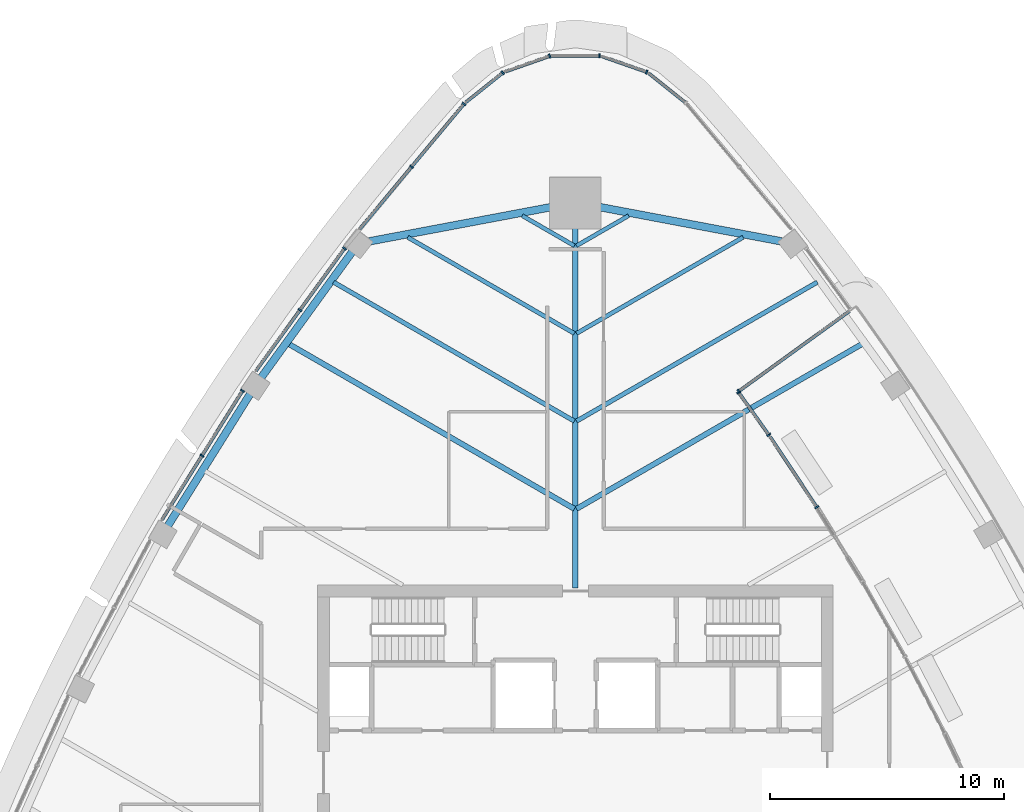
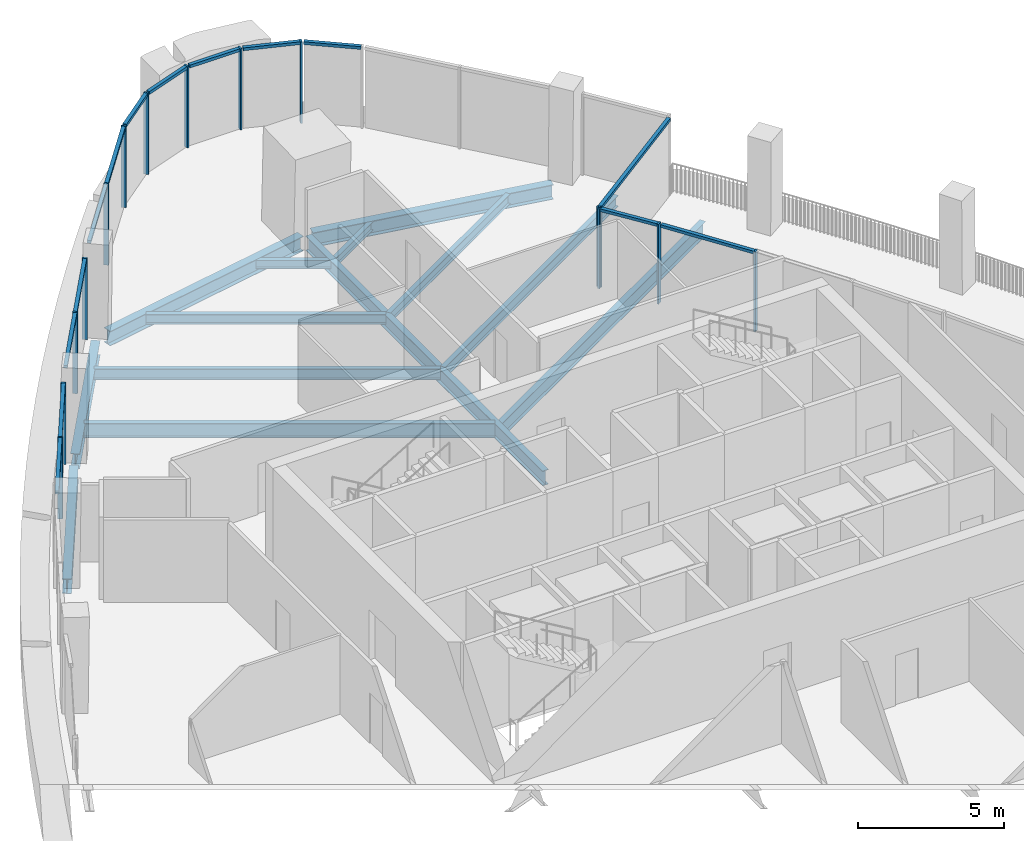
# One storey, part 6 of 20: 28 members, 13 beams, 11 elements without a shape of their own.
"""IFC4 building model written with IfcOpenShell, lengths in metres."""

from ifc_helpers import new_model, si_unit, direction, frame, origin, origin_2d, place, context, subcontext, project, spatial, rectangle, i_section, extrude, material, layer, layer_set, material_profile, profile_set, type_object, element, aggregate, save


model = new_model("IFC4")

# Units and contexts
model_context = context("Model", 3, precision=1e-05, world=origin(), true_north=direction((0.0, 1.0)))
body_context = subcontext(model_context, "Body", "Model", "MODEL_VIEW")
ifc_project = project(units=[si_unit("LENGTHUNIT", "METRE"), si_unit("AREAUNIT", "SQUARE_METRE"), si_unit("VOLUMEUNIT", "CUBIC_METRE"), si_unit("PLANEANGLEUNIT", "RADIAN"), si_unit("MASSUNIT", "GRAM", prefix="KILO")], contexts=[model_context])

# Site, building, storey
site_placement = place(None, origin())
site = spatial("IfcSite", under=ifc_project, at=site_placement, CompositionType="ELEMENT")
building_placement = place(site_placement, origin())
building = spatial("IfcBuilding", under=site, at=building_placement, Name="Sierra Prisma Convention Tower", CompositionType="ELEMENT")
storey_placement = place(building_placement, frame((0.0, 0.0, 275.0)))
storey = spatial("IfcBuildingStorey", under=building, at=storey_placement, Name="L62", CompositionType="ELEMENT", Elevation=275.0)

# Curtain wall, member
ifc_material_1 = material(Name="Aluminium and glass curtain wall", Category="aluminium")
ifc_layer_1 = layer(ifc_material_1, 0.179931640625)
ifc_layer_set_1 = layer_set([ifc_layer_1], Name="CW-1 Plain shaft curtain wall")
curtain_wall_type_1 = type_object("IfcCurtainWallType", Name="CW-1 Plain shaft curtain wall", PredefinedType="NOTDEFINED", material=ifc_layer_set_1)
curtain_wall_1_placement = place(storey_placement, origin())
curtain_wall_1 = element("IfcCurtainWall", 1, at=curtain_wall_1_placement, inside=storey, type_object=curtain_wall_type_1, Name="CW-1 N2 L62", PredefinedType="NOTDEFINED")
ifc_material_2 = material(Name="Aluminium 6063-T6 bronze anodised", Category="aluminium")
ifc_material_profile_1 = material_profile(ifc_material_2, rectangle(XDim=0.179931640625, YDim=0.070068359375, at=origin_2d()), Name="ALU MULLION 70x180")
ifc_profile_set_1 = profile_set([ifc_material_profile_1], Name="Aluminium 6063-T6 bronze anodised")
member_type_1 = type_object("IfcMemberType", Name="CW mullion bronze", PredefinedType="MULLION", material=ifc_profile_set_1)
member_1_placement = place(storey_placement, frame((3.03759765625, 29.8955078125, 0.0), z_axis=(0.0, 0.0, 1.0), x_axis=(-0.33018026387, -0.94391789545, 0.0)))
member_1 = element("IfcMember", 2, at=member_1_placement, type_object=member_type_1, Name="CW-1 mullion N2.1", PredefinedType="MULLION", context=body_context, shape_type="SweptSolid", body=[
    extrude(rectangle(XDim=0.179931640625, YDim=0.070068359375, at=origin_2d()), origin(), (0.0, 0.0, 1.0), 3.39990234375),
])

curtain_wall_2_placement = place(storey_placement, origin())
curtain_wall_2 = element("IfcCurtainWall", 3, at=curtain_wall_2_placement, inside=storey, type_object=curtain_wall_type_1, Name="CW-1 N3 L62", PredefinedType="NOTDEFINED")
member_2_placement = place(storey_placement, frame((1.0283203125, 30.5859375, 0.0), z_axis=(0.0, 0.0, 1.0), x_axis=(0.0, -1.0, 0.0)))
member_2 = element("IfcMember", 4, at=member_2_placement, type_object=member_type_1, Name="CW-1 mullion N3.1", PredefinedType="MULLION", context=body_context, shape_type="SweptSolid", body=[
    extrude(rectangle(XDim=0.179931640625, YDim=0.070068359375, at=origin_2d()), origin(), (0.0, 0.0, 1.0), 3.39990234375),
])

curtain_wall_3_placement = place(storey_placement, origin())
curtain_wall_3 = element("IfcCurtainWall", 5, at=curtain_wall_3_placement, inside=storey, type_object=curtain_wall_type_1, Name="CW-1 N4 L62", PredefinedType="NOTDEFINED")
member_3_placement = place(storey_placement, frame((-1.096435546875, 30.574462890625, 0.0), z_axis=(0.0, 0.0, 1.0), x_axis=(0.33018026387, -0.94391789545, 0.0)))
member_3 = element("IfcMember", 6, at=member_3_placement, type_object=member_type_1, Name="CW-1 mullion N4.1", PredefinedType="MULLION", context=body_context, shape_type="SweptSolid", body=[
    extrude(rectangle(XDim=0.179931640625, YDim=0.070068359375, at=origin_2d()), origin(), (0.0, 0.0, 1.0), 3.39990234375),
])

curtain_wall_4_placement = place(storey_placement, origin())
curtain_wall_4 = element("IfcCurtainWall", 7, at=curtain_wall_4_placement, inside=storey, type_object=curtain_wall_type_1, Name="CW-1 N5 L62", PredefinedType="NOTDEFINED")
member_4_placement = place(storey_placement, frame((-3.09814453125, 29.862060546875, 0.0), z_axis=(0.0, 0.0, 1.0), x_axis=(0.623326119569, -0.781961986712, 0.0)))
member_4 = element("IfcMember", 8, at=member_4_placement, type_object=member_type_1, Name="CW-1 mullion N5.1", PredefinedType="MULLION", context=body_context, shape_type="SweptSolid", body=[
    extrude(rectangle(XDim=0.179931640625, YDim=0.070068359375, at=origin_2d()), origin(), (0.0, 0.0, 1.0), 3.39990234375),
])

# Curtain wall, members
curtain_wall_5_placement = place(storey_placement, origin())
curtain_wall_5 = element("IfcCurtainWall", 9, at=curtain_wall_5_placement, inside=storey, type_object=curtain_wall_type_1, Name="CW-1 NW1 L62", PredefinedType="NOTDEFINED")
member_5_placement = place(storey_placement, frame((-4.756103515625, 28.53125, 0.0), z_axis=(0.0, 0.0, 1.0), x_axis=(0.767904404552, -0.640564458481, 0.0)))
member_5 = element("IfcMember", 10, at=member_5_placement, type_object=member_type_1, Name="CW-1 mullion NW1.1", PredefinedType="MULLION", context=body_context, shape_type="SweptSolid", body=[
    extrude(rectangle(XDim=0.179931640625, YDim=0.070068359375, at=origin_2d()), origin(), (0.0, 0.0, 1.0), 3.39990234375),
])
member_6_placement = place(storey_placement, frame((-6.993896484375, 25.848876953125, 0.0), z_axis=(0.0, 0.0, 1.0), x_axis=(0.767904404552, -0.640564458481, 0.0)))
member_6 = element("IfcMember", 11, at=member_6_placement, type_object=member_type_1, Name="CW-1 mullion NW1.2", PredefinedType="MULLION", context=body_context, shape_type="SweptSolid", body=[
    extrude(rectangle(XDim=0.179931640625, YDim=0.070068359375, at=origin_2d()), origin(), (0.0, 0.0, 1.0), 3.39990234375),
])

curtain_wall_6_placement = place(storey_placement, origin())
curtain_wall_6 = element("IfcCurtainWall", 12, at=curtain_wall_6_placement, inside=storey, type_object=curtain_wall_type_1, Name="CW-1 NW2 L62", PredefinedType="NOTDEFINED")
member_7_placement = place(storey_placement, frame((-9.852294921875, 22.365478515625, 0.0), z_axis=(0.0, 0.0, 1.0), x_axis=(0.810038021847, -0.586377355601, 0.0)))
member_7 = element("IfcMember", 13, at=member_7_placement, type_object=member_type_1, Name="CW-1 mullion NW2.1", PredefinedType="MULLION", context=body_context, shape_type="SweptSolid", body=[
    extrude(rectangle(XDim=0.179931640625, YDim=0.070068359375, at=origin_2d()), origin(), (0.0, 0.0, 1.0), 3.39990234375),
])
member_8_placement = place(storey_placement, frame((-11.755859375, 19.73583984375, 0.0), z_axis=(0.0, 0.0, 1.0), x_axis=(0.810038021847, -0.586377355601, 0.0)))
member_8 = element("IfcMember", 14, at=member_8_placement, type_object=member_type_1, Name="CW-1 mullion NW2.2", PredefinedType="MULLION", context=body_context, shape_type="SweptSolid", body=[
    extrude(rectangle(XDim=0.179931640625, YDim=0.070068359375, at=origin_2d()), origin(), (0.0, 0.0, 1.0), 3.39990234375),
])

curtain_wall_7_placement = place(storey_placement, origin())
curtain_wall_7 = element("IfcCurtainWall", 15, at=curtain_wall_7_placement, inside=storey, type_object=curtain_wall_type_1, Name="CW-1 NW3 L62", PredefinedType="NOTDEFINED")
member_9_placement = place(storey_placement, frame((-14.20703125, 16.29150390625, 0.0), z_axis=(0.0, 0.0, 1.0), x_axis=(0.848355158096, -0.52942754531, 0.0)))
member_9 = element("IfcMember", 16, at=member_9_placement, type_object=member_type_1, Name="CW-1 mullion NW3.1", PredefinedType="MULLION", context=body_context, shape_type="SweptSolid", body=[
    extrude(rectangle(XDim=0.179931640625, YDim=0.070068359375, at=origin_2d()), origin(), (0.0, 0.0, 1.0), 3.39990234375),
])
member_10_placement = place(storey_placement, frame((-15.93408203125, 13.52392578125, 0.0), z_axis=(0.0, 0.0, 1.0), x_axis=(0.848355158096, -0.52942754531, 0.0)))
member_10 = element("IfcMember", 17, at=member_10_placement, type_object=member_type_1, Name="CW-1 mullion NW3.2", PredefinedType="MULLION", context=body_context, shape_type="SweptSolid", body=[
    extrude(rectangle(XDim=0.179931640625, YDim=0.070068359375, at=origin_2d()), origin(), (0.0, 0.0, 1.0), 3.39990234375),
])

# Curtain wall, member
ifc_material_3 = material(Name="Aluminium and glass curtain wall", Category="aluminium")
ifc_layer_2 = layer(ifc_material_3, 0.179931640625)
ifc_layer_set_2 = layer_set([ifc_layer_2], Name="CW-6 Terrace recess curtain wall")
curtain_wall_type_2 = type_object("IfcCurtainWallType", Name="CW-6 Terrace recess curtain wall", PredefinedType="NOTDEFINED", material=ifc_layer_set_2)
curtain_wall_8_placement = place(storey_placement, origin())
curtain_wall_8 = element("IfcCurtainWall", 18, at=curtain_wall_8_placement, inside=storey, type_object=curtain_wall_type_2, Name="CW-6 R28 L62", PredefinedType="NOTDEFINED")
member_11_placement = place(storey_placement, frame((10.299560546875, 11.328857421875, 0.0), z_axis=(0.0, 0.0, 1.0), x_axis=(-0.833003139849, -0.553268261336, 0.0)))
member_11 = element("IfcMember", 19, at=member_11_placement, type_object=member_type_1, Name="CW-6 mullion R28.1", PredefinedType="MULLION", context=body_context, shape_type="SweptSolid", body=[
    extrude(rectangle(XDim=0.179931640625, YDim=0.070068359375, at=origin_2d()), origin(), (0.0, 0.0, 1.0), 3.340087890625),
])

# Curtain wall, members
curtain_wall_9_placement = place(storey_placement, origin())
curtain_wall_9 = element("IfcCurtainWall", 20, at=curtain_wall_9_placement, inside=storey, type_object=curtain_wall_type_2, Name="CW-6 R29 L62", PredefinedType="NOTDEFINED")
member_12_placement = place(storey_placement, frame((8.250244140625, 14.412109375, 0.0), z_axis=(0.0, 0.0, 1.0), x_axis=(-0.814851700377, -0.579669480301, 0.0)))
member_12 = element("IfcMember", 21, at=member_12_placement, type_object=member_type_1, Name="CW-6 mullion R29.1", PredefinedType="MULLION", context=body_context, shape_type="SweptSolid", body=[
    extrude(rectangle(XDim=0.179931640625, YDim=0.070068359375, at=origin_2d()), origin(), (0.0, 0.0, 1.0), 3.340087890625),
])
member_13_placement = place(storey_placement, frame((6.961669921875, 16.223388671875, 0.0), z_axis=(0.0, 0.0, 1.0), x_axis=(-0.814851700377, -0.579669480301, 0.0)))
member_13 = element("IfcMember", 22, at=member_13_placement, type_object=member_type_1, Name="CW-6 mullion R29.2", PredefinedType="MULLION", context=body_context, shape_type="SweptSolid", body=[
    extrude(rectangle(XDim=0.179931640625, YDim=0.070068359375, at=origin_2d()), origin(), (0.0, 0.0, 1.0), 3.340087890625),
])

# Curtain wall, member
curtain_wall_10_placement = place(storey_placement, origin())
curtain_wall_10 = element("IfcCurtainWall", 23, at=curtain_wall_10_placement, inside=storey, type_object=curtain_wall_type_2, Name="CW-6 RT2 L62", PredefinedType="NOTDEFINED")
member_14_placement = place(storey_placement, frame((6.9697265625, 16.272216796875, 0.0), z_axis=(0.0, 0.0, 1.0), x_axis=(-0.586377355601, 0.810038021847, 0.0)))
member_14 = element("IfcMember", 24, at=member_14_placement, type_object=member_type_1, Name="CW-6 mullion RT2.1", PredefinedType="MULLION", context=body_context, shape_type="SweptSolid", body=[
    extrude(rectangle(XDim=0.179931640625, YDim=0.070068359375, at=origin_2d()), origin(), (0.0, 0.0, 1.0), 3.340087890625),
])

curtain_wall_11_placement = place(storey_placement, origin())
curtain_wall_11 = element("IfcCurtainWall", 25, at=curtain_wall_11_placement, inside=storey, type_object=curtain_wall_type_1, Name="CW-1 N1 L62", PredefinedType="NOTDEFINED")
ifc_material_4 = material(Name="Aluminium 6063-T6 bronze anodised", Category="aluminium")
ifc_material_profile_2 = material_profile(ifc_material_4, rectangle(XDim=0.139892578125, YDim=0.1201171875, at=origin_2d()), Name="ALU TRANSOM 120x140")
ifc_profile_set_2 = profile_set([ifc_material_profile_2], Name="Aluminium 6063-T6 bronze anodised")
member_type_2 = type_object("IfcMemberType", Name="CW transom bronze", PredefinedType="USERDEFINED", material=ifc_profile_set_2)
member_15_placement = place(storey_placement, frame((4.678955078125, 28.601806640625, 3.340087890625), z_axis=(-0.781970635247, 0.623315269837, 0.0), x_axis=(-0.623315269837, -0.781970635247, 0.0)))
member_15 = element("IfcMember", 26, at=member_15_placement, type_object=member_type_2, Name="CW-1 transom N1.1", ObjectType="TRANSOM", PredefinedType="USERDEFINED", context=body_context, shape_type="SweptSolid", body=[
    extrude(rectangle(XDim=0.139892578125, YDim=0.1201171875, at=origin_2d()), origin(), (0.0, 0.0, 1.0), 1.986572265625),
])
aggregate(curtain_wall_11, [member_15])

# Member
member_16_placement = place(storey_placement, frame((3.004638671875, 29.906982421875, 3.340087890625), z_axis=(-0.943910073108, 0.330202625497, 0.0), x_axis=(-0.330202625497, -0.943910073108, 0.0)))
member_16 = element("IfcMember", 27, at=member_16_placement, type_object=member_type_2, Name="CW-1 transom N2.1", ObjectType="TRANSOM", PredefinedType="USERDEFINED", context=body_context, shape_type="SweptSolid", body=[
    extrude(rectangle(XDim=0.139892578125, YDim=0.1201171875, at=origin_2d()), origin(), (0.0, 0.0, 1.0), 1.986572265625),
])

aggregate(curtain_wall_1, [member_1, member_16])

member_17_placement = place(storey_placement, frame((0.993408203125, 30.5859375, 3.340087890625), z_axis=(-1.0, 0.0, 0.0), x_axis=(0.0, -1.0, 0.0)))
member_17 = element("IfcMember", 28, at=member_17_placement, type_object=member_type_2, Name="CW-1 transom N3.1", ObjectType="TRANSOM", PredefinedType="USERDEFINED", context=body_context, shape_type="SweptSolid", body=[
    extrude(rectangle(XDim=0.139892578125, YDim=0.1201171875, at=origin_2d()), origin(), (0.0, 0.0, 1.0), 1.98681640625),
])

aggregate(curtain_wall_2, [member_2, member_17])

member_18_placement = place(storey_placement, frame((-1.12939453125, 30.56298828125, 3.340087890625), z_axis=(-0.943910073108, -0.330202625497, 0.0), x_axis=(0.330202625497, -0.943910073108, 0.0)))
member_18 = element("IfcMember", 29, at=member_18_placement, type_object=member_type_2, Name="CW-1 transom N4.1", ObjectType="TRANSOM", PredefinedType="USERDEFINED", context=body_context, shape_type="SweptSolid", body=[
    extrude(rectangle(XDim=0.139892578125, YDim=0.1201171875, at=origin_2d()), origin(), (0.0, 0.0, 1.0), 1.986572265625),
])

aggregate(curtain_wall_3, [member_3, member_18])

member_19_placement = place(storey_placement, frame((-3.12548828125, 29.840087890625, 3.340087890625), z_axis=(-0.781970635247, -0.623315269837, 0.0), x_axis=(0.623315269837, -0.781970635247, 0.0)))
member_19 = element("IfcMember", 30, at=member_19_placement, type_object=member_type_2, Name="CW-1 transom N5.1", ObjectType="TRANSOM", PredefinedType="USERDEFINED", context=body_context, shape_type="SweptSolid", body=[
    extrude(rectangle(XDim=0.139892578125, YDim=0.1201171875, at=origin_2d()), origin(), (0.0, 0.0, 1.0), 1.986572265625),
])

aggregate(curtain_wall_4, [member_4, member_19])

member_20_placement = place(storey_placement, frame((-4.778564453125, 28.50439453125, 3.340087890625), z_axis=(-0.640584165083, -0.767887965425, 0.0), x_axis=(0.767887965425, -0.640584165083, 0.0)))
member_20 = element("IfcMember", 31, at=member_20_placement, type_object=member_type_2, Name="CW-1 transom NW1.1", ObjectType="TRANSOM", PredefinedType="USERDEFINED", context=body_context, shape_type="SweptSolid", body=[
    extrude(rectangle(XDim=0.139892578125, YDim=0.1201171875, at=origin_2d()), origin(), (0.0, 0.0, 1.0), 3.42333984375),
])

member_21_placement = place(storey_placement, frame((-7.016357421875, 25.822021484375, 3.340087890625), z_axis=(-0.640507027946, -0.767952307863, 0.0), x_axis=(0.767952307863, -0.640507027946, 0.0)))
member_21 = element("IfcMember", 32, at=member_21_placement, type_object=member_type_2, Name="CW-1 transom NW1.2", ObjectType="TRANSOM", PredefinedType="USERDEFINED", context=body_context, shape_type="SweptSolid", body=[
    extrude(rectangle(XDim=0.139892578125, YDim=0.1201171875, at=origin_2d()), origin(), (0.0, 0.0, 1.0), 3.42333984375),
])

aggregate(curtain_wall_5, [member_5, member_6, member_20, member_21])

member_22_placement = place(storey_placement, frame((-9.872802734375, 22.337158203125, 3.340087890625), z_axis=(-0.586374187657, -0.810040315077, 0.0), x_axis=(0.810040315077, -0.586374187657, 0.0)))
member_22 = element("IfcMember", 33, at=member_22_placement, type_object=member_type_2, Name="CW-1 transom NW2.1", ObjectType="TRANSOM", PredefinedType="USERDEFINED", context=body_context, shape_type="SweptSolid", body=[
    extrude(rectangle(XDim=0.139892578125, YDim=0.1201171875, at=origin_2d()), origin(), (0.0, 0.0, 1.0), 3.17626953125),
])

member_23_placement = place(storey_placement, frame((-11.7763671875, 19.70751953125, 3.340087890625), z_axis=(-0.586374187657, -0.810040315077, 0.0), x_axis=(0.810040315077, -0.586374187657, 0.0)))
member_23 = element("IfcMember", 34, at=member_23_placement, type_object=member_type_2, Name="CW-1 transom NW2.2", ObjectType="TRANSOM", PredefinedType="USERDEFINED", context=body_context, shape_type="SweptSolid", body=[
    extrude(rectangle(XDim=0.139892578125, YDim=0.1201171875, at=origin_2d()), origin(), (0.0, 0.0, 1.0), 3.17626953125),
])

aggregate(curtain_wall_6, [member_7, member_8, member_22, member_23])

member_24_placement = place(storey_placement, frame((-14.2255859375, 16.26171875, 3.340087890625), z_axis=(-0.52947636404, -0.848324690153, 0.0), x_axis=(0.848324690153, -0.52947636404, 0.0)))
member_24 = element("IfcMember", 35, at=member_24_placement, type_object=member_type_2, Name="CW-1 transom NW3.1", ObjectType="TRANSOM", PredefinedType="USERDEFINED", context=body_context, shape_type="SweptSolid", body=[
    extrude(rectangle(XDim=0.139892578125, YDim=0.1201171875, at=origin_2d()), origin(), (0.0, 0.0, 1.0), 3.192138671875),
])

member_25_placement = place(storey_placement, frame((-15.95263671875, 13.494384765625, 3.340087890625), z_axis=(-0.52944201313, -0.848346129085, 0.0), x_axis=(0.848346129085, -0.52944201313, 0.0)))
member_25 = element("IfcMember", 36, at=member_25_placement, type_object=member_type_2, Name="CW-1 transom NW3.2", ObjectType="TRANSOM", PredefinedType="USERDEFINED", context=body_context, shape_type="SweptSolid", body=[
    extrude(rectangle(XDim=0.139892578125, YDim=0.1201171875, at=origin_2d()), origin(), (0.0, 0.0, 1.0), 3.1923828125),
])

aggregate(curtain_wall_7, [member_9, member_10, member_24, member_25])

member_26_placement = place(storey_placement, frame((10.280029296875, 11.35791015625, 3.280029296875), z_axis=(-0.553244219076, 0.83301910786, 0.0), x_axis=(-0.83301910786, -0.553244219076, 0.0)))
member_26 = element("IfcMember", 37, at=member_26_placement, type_object=member_type_2, Name="CW-6 transom R28.1", ObjectType="TRANSOM", PredefinedType="USERDEFINED", context=body_context, shape_type="SweptSolid", body=[
    extrude(rectangle(XDim=0.139892578125, YDim=0.1201171875, at=origin_2d()), origin(), (0.0, 0.0, 1.0), 3.56201171875),
])

aggregate(curtain_wall_8, [member_11, member_26])

member_27_placement = place(storey_placement, frame((8.22998046875, 14.4404296875, 3.280029296875), z_axis=(-0.579671051727, 0.814850582494, 0.0), x_axis=(-0.814850582494, -0.579671051727, 0.0)))
member_27 = element("IfcMember", 38, at=member_27_placement, type_object=member_type_2, Name="CW-6 transom R29.1", ObjectType="TRANSOM", PredefinedType="USERDEFINED", context=body_context, shape_type="SweptSolid", body=[
    extrude(rectangle(XDim=0.139892578125, YDim=0.1201171875, at=origin_2d()), origin(), (0.0, 0.0, 1.0), 2.153076171875),
])

aggregate(curtain_wall_9, [member_12, member_13, member_27])

member_28_placement = place(storey_placement, frame((6.998046875, 16.29296875, 3.280029296875), z_axis=(0.810053062757, 0.586356577108, 0.0), x_axis=(-0.586356577108, 0.810053062757, 0.0)))
member_28 = element("IfcMember", 39, at=member_28_placement, type_object=member_type_2, Name="CW-6 transom RT2.1", ObjectType="TRANSOM", PredefinedType="USERDEFINED", context=body_context, shape_type="SweptSolid", body=[
    extrude(rectangle(XDim=0.139892578125, YDim=0.1201171875, at=origin_2d()), origin(), (0.0, 0.0, 1.0), 5.802978515625),
])

aggregate(curtain_wall_10, [member_14, member_28])

# Beams
ifc_material_5 = material(Name="Steel ASTM A992 Gr 50", Category="steel")
ifc_material_profile_3 = material_profile(ifc_material_5, i_section(OverallWidth=0.172119140625, OverallDepth=0.35791015625, WebThickness=0.0078125, FlangeThickness=0.01318359375, at=origin_2d()), Name="W360x57")
ifc_profile_set_3 = profile_set([ifc_material_profile_3], Name="Steel ASTM A992 Gr 50")
beam_type_1 = type_object("IfcBeamType", Name="Floor joist W360x57", PredefinedType="JOIST", material=ifc_profile_set_3)
for number, where, z_axis, x_axis, name in (
    (40, (2.270751953125, 23.765380859375, -0.3291015625), (-0.866041575714, -0.49997198835, 0.0), (0.49997198835, -0.866041575714, 0.0), "Floor joist L62 NE13"),
    (41, (-2.270751953125, 23.765380859375, -0.3291015625), (0.866041575714, -0.49997198835, 0.0), (0.49997198835, 0.866041575714, 0.0), "Floor joist L62 NW01"),
):
    element("IfcBeam", number, at=place(storey_placement, frame(where, z_axis=z_axis, x_axis=x_axis)), inside=storey, type_object=beam_type_1, Name=name, PredefinedType="JOIST", context=body_context, shape_type="SweptSolid", body=[
        extrude(i_section(OverallWidth=0.172119140625, OverallDepth=0.35791015625, WebThickness=0.0078125, FlangeThickness=0.01318359375, at=origin_2d()), origin(), (0.0, 0.0, 1.0), 2.569091796875),
    ])
ifc_material_6 = material(Name="Steel ASTM A992 Gr 50", Category="steel")
ifc_material_profile_4 = material_profile(ifc_material_6, i_section(OverallWidth=0.177978515625, OverallDepth=0.406982421875, WebThickness=0.0078125, FlangeThickness=0.0126953125, at=origin_2d()), Name="W410x60")
ifc_profile_set_4 = profile_set([ifc_material_profile_4], Name="Steel ASTM A992 Gr 50")
beam_type_2 = type_object("IfcBeamType", Name="Floor joist W410x60", PredefinedType="JOIST", material=ifc_profile_set_4)
for number, where, z_axis, x_axis, name in (
    (42, (7.1572265625, 22.84423828125, -0.353515625), (-0.86602615874, -0.499998692376, 0.0), (0.499998692376, -0.86602615874, 0.0), "Floor joist L62 NE12"),
    (43, (-7.1572265625, 22.84423828125, -0.353515625), (0.86602615874, -0.499998692376, 0.0), (0.499998692376, 0.86602615874, 0.0), "Floor joist L62 NW02"),
):
    element("IfcBeam", number, at=place(storey_placement, frame(where, z_axis=z_axis, x_axis=x_axis)), inside=storey, type_object=beam_type_2, Name=name, PredefinedType="JOIST", context=body_context, shape_type="SweptSolid", body=[
        extrude(i_section(OverallWidth=0.177978515625, OverallDepth=0.406982421875, WebThickness=0.0078125, FlangeThickness=0.0126953125, at=origin_2d()), origin(), (0.0, 0.0, 1.0), 8.21142578125),
    ])
ifc_material_7 = material(Name="Steel ASTM A992 Gr 50", Category="steel")
ifc_material_profile_5 = material_profile(ifc_material_7, i_section(OverallWidth=0.18994140625, OverallDepth=0.45703125, WebThickness=0.009033203125, FlangeThickness=0.014404296875, at=origin_2d()), Name="W460x74")
ifc_profile_set_5 = profile_set([ifc_material_profile_5], Name="Steel ASTM A992 Gr 50")
beam_type_3 = type_object("IfcBeamType", Name="Floor joist W460x74", PredefinedType="JOIST", material=ifc_profile_set_5)
for number, where, z_axis, x_axis, name in (
    (44, (10.3212890625, 20.9287109375, -0.37841796875), (-0.866021110356, -0.500007436363, 0.0), (0.500007436363, -0.866021110356, 0.0), "Floor joist L62 NE11"),
    (45, (-10.3212890625, 20.9287109375, -0.37841796875), (0.866021110356, -0.500007436363, 0.0), (0.500007436363, 0.866021110356, 0.0), "Floor joist L62 NW03"),
):
    element("IfcBeam", number, at=place(storey_placement, frame(where, z_axis=z_axis, x_axis=x_axis)), inside=storey, type_object=beam_type_3, Name=name, PredefinedType="JOIST", context=body_context, shape_type="SweptSolid", body=[
        extrude(i_section(OverallWidth=0.18994140625, OverallDepth=0.45703125, WebThickness=0.009033203125, FlangeThickness=0.014404296875, at=origin_2d()), origin(), (0.0, 0.0, 1.0), 11.864990234375),
    ])
ifc_material_8 = material(Name="Steel ASTM A992 Gr 50", Category="steel")
ifc_material_profile_6 = material_profile(ifc_material_8, i_section(OverallWidth=0.22802734375, OverallDepth=0.60302734375, WebThickness=0.010498046875, FlangeThickness=0.014892578125, at=origin_2d()), Name="W610x101")
ifc_profile_set_6 = profile_set([ifc_material_profile_6], Name="Steel ASTM A992 Gr 50")
beam_type_4 = type_object("IfcBeamType", Name="Floor joist W610x101", PredefinedType="JOIST", material=ifc_profile_set_6)
for number, where, z_axis, x_axis, name in (
    (46, (12.23193359375, 18.289306640625, -0.6015625), (-0.866031874913, -0.499988791509, 0.0), (0.499988791509, -0.866031874913, 0.0), "Floor joist L62 NE10"),
    (47, (-12.23193359375, 18.289306640625, -0.451416015625), (0.866031874913, -0.499988791509, 0.0), (0.499988791509, 0.866031874913, 0.0), "Floor joist L62 NW04"),
):
    element("IfcBeam", number, at=place(storey_placement, frame(where, z_axis=z_axis, x_axis=x_axis)), inside=storey, type_object=beam_type_4, Name=name, PredefinedType="JOIST", context=body_context, shape_type="SweptSolid", body=[
        extrude(i_section(OverallWidth=0.22802734375, OverallDepth=0.60302734375, WebThickness=0.010498046875, FlangeThickness=0.014892578125, at=origin_2d()), origin(), (0.0, 0.0, 1.0), 14.071044921875),
    ])
ifc_material_9 = material(Name="Steel ASTM A992 Gr 50", Category="steel")
ifc_material_profile_7 = material_profile(ifc_material_9, i_section(OverallWidth=0.22998046875, OverallDepth=0.616943359375, WebThickness=0.01318359375, FlangeThickness=0.022216796875, at=origin_2d()), Name="W610x140")
ifc_profile_set_7 = profile_set([ifc_material_profile_7], Name="Steel ASTM A992 Gr 50")
beam_type_5 = type_object("IfcBeamType", Name="Radial girder W610x140", PredefinedType="BEAM", material=ifc_profile_set_7)
beam_placement = place(storey_placement, frame((0.0, 24.105712890625, -0.45849609375), z_axis=(0.0, -1.0, 0.0), x_axis=(1.0, 0.0, 0.0)))
element("IfcBeam", 48, at=beam_placement, inside=storey, type_object=beam_type_5, Name="Radial girder L62 N", PredefinedType="BEAM", context=body_context, shape_type="SweptSolid", body=[
    extrude(i_section(OverallWidth=0.22998046875, OverallDepth=0.616943359375, WebThickness=0.01318359375, FlangeThickness=0.022216796875, at=origin_2d()), origin(), (0.0, 0.0, 1.0), 16.225830078125),
])
ifc_material_10 = material(Name="Steel ASTM A992 Gr 50", Category="steel")
ifc_material_profile_8 = material_profile(ifc_material_10, i_section(OverallWidth=0.324951171875, OverallDepth=0.615966796875, WebThickness=0.013916015625, FlangeThickness=0.021484375, at=origin_2d()), Name="W610x174")
ifc_profile_set_8 = profile_set([ifc_material_profile_8], Name="Steel ASTM A992 Gr 50")
beam_type_6 = type_object("IfcBeamType", Name="Spandrel beam W610x174", PredefinedType="BEAM", material=ifc_profile_set_8)
for number, where, z_axis, x_axis, name in (
    (49, (8.793701171875, 22.66796875, -0.4580078125), (-0.982692422011, 0.185244713073, 0.0), (-0.185244713073, -0.982692422011, 0.0), "Spandrel L62-12"),
    (50, (-0.219970703125, 24.2841796875, -0.4580078125), (-0.982692422011, -0.185244713073, 0.0), (0.185244713073, -0.982692422011, 0.0), "Spandrel L62-13"),
):
    element("IfcBeam", number, at=place(storey_placement, frame(where, z_axis=z_axis, x_axis=x_axis)), inside=storey, type_object=beam_type_6, Name=name, PredefinedType="BEAM", context=body_context, shape_type="SweptSolid", body=[
        extrude(i_section(OverallWidth=0.324951171875, OverallDepth=0.615966796875, WebThickness=0.013916015625, FlangeThickness=0.021484375, at=origin_2d()), origin(), (0.0, 0.0, 1.0), 8.724853515625),
    ])
for number, where, z_axis, x_axis, name in (
    (51, (-9.45947265625, 22.3115234375, -0.4580078125), (-0.586372182337, -0.810041766689, 0.0), (0.810041766689, -0.586372182337, 0.0), "Spandrel L62-14"),
    (52, (-13.828369140625, 16.23779296875, -0.4580078125), (-0.52942623437, -0.848355976204, 0.0), (0.848355976204, -0.52942623437, 0.0), "Spandrel L62-15"),
):
    element("IfcBeam", number, at=place(storey_placement, frame(where, z_axis=z_axis, x_axis=x_axis)), inside=storey, type_object=beam_type_6, Name=name, PredefinedType="BEAM", context=body_context, shape_type="SweptSolid", body=[
        extrude(i_section(OverallWidth=0.324951171875, OverallDepth=0.615966796875, WebThickness=0.013916015625, FlangeThickness=0.021484375, at=origin_2d()), origin(), (0.0, 0.0, 1.0), 6.822021484375),
    ])

save(model, "model.ifc")
